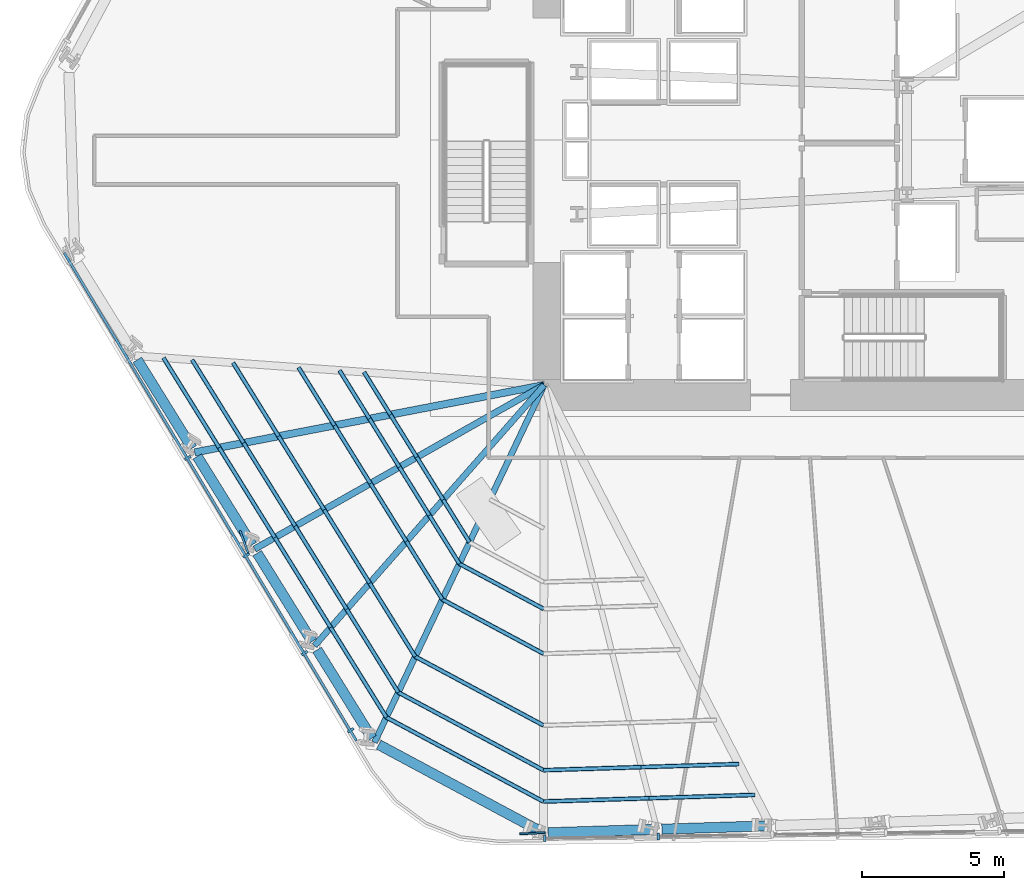
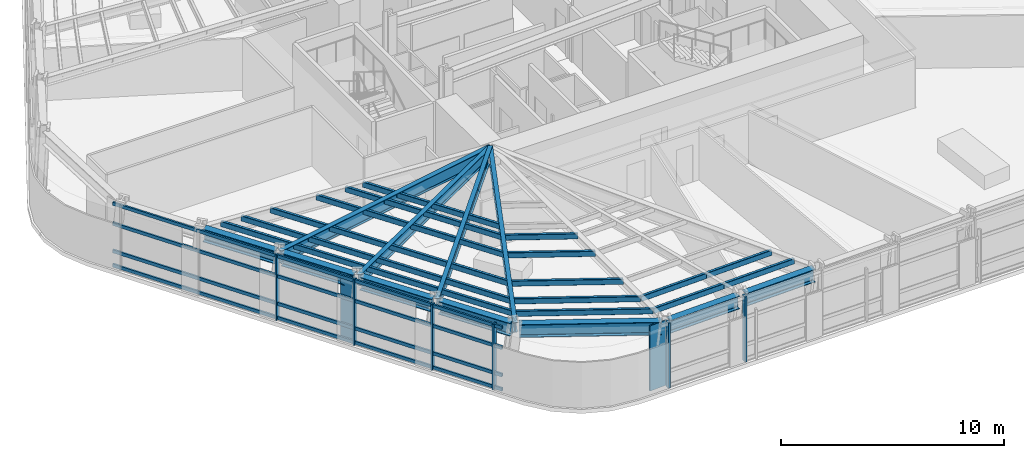
# One storey, part 2 of 15: 45 members, 11 beams, 2 elements without a shape of their own.
"""IFC4 building model written with IfcOpenShell, lengths in metres."""

from ifc_helpers import new_model, si_unit, direction, frame, origin, origin_2d, place, context, subcontext, project, spatial, rectangle, hollow_rectangle, i_section, extrude, material, layer, layer_set, material_profile, profile_set, type_object, element, aggregate, save


model = new_model("IFC4")

# Units and contexts
model_context = context("Model", 3, precision=1e-05, world=origin(), true_north=direction((0.0, 1.0)))
body_context = subcontext(model_context, "Body", "Model", "MODEL_VIEW")
ifc_project = project(units=[si_unit("LENGTHUNIT", "METRE"), si_unit("AREAUNIT", "SQUARE_METRE"), si_unit("VOLUMEUNIT", "CUBIC_METRE"), si_unit("PLANEANGLEUNIT", "RADIAN"), si_unit("MASSUNIT", "GRAM", prefix="KILO")], contexts=[model_context])

# Site, building, storey
site_placement = place(None, origin())
site = spatial("IfcSite", under=ifc_project, at=site_placement, CompositionType="ELEMENT")
building_placement = place(site_placement, origin())
building = spatial("IfcBuilding", under=site, at=building_placement, Name="Valkerne Bourse Tower", CompositionType="ELEMENT")
storey_placement = place(building_placement, frame((0.0, 0.0, 27.800048828125)))
storey = spatial("IfcBuildingStorey", under=building, at=storey_placement, Name="L06", CompositionType="ELEMENT", Elevation=27.800048828125)

# Beams
ifc_material_1 = material(Name="Steel ASTM A992", Category="steel")
ifc_material_profile_1 = material_profile(ifc_material_1, i_section(OverallWidth=0.209228515625, OverallDepth=0.533447265625, WebThickness=0.01025390625, FlangeThickness=0.015625, FilletRadius=0.017822265625, at=origin_2d()), Name="W21X62")
ifc_profile_set_1 = profile_set([ifc_material_profile_1], Name="Steel ASTM A992")
beam_type_1 = type_object("IfcBeamType", Name="BM-W21X62", PredefinedType="JOIST", material=ifc_profile_set_1)
beam_1_placement = place(storey_placement, frame((31.639404296875, 5.845703125, 3.313232421875), z_axis=(0.428907024778, 0.903348639284, 0.0), x_axis=(-0.903348639284, 0.428907024778, 0.0)))
element("IfcBeam", 1, at=beam_1_placement, inside=storey, type_object=beam_type_1, Name="L06 Radial Composite Floor Beam 23", PredefinedType="JOIST", context=body_context, shape_type="SweptSolid", body=[
    extrude(i_section(OverallWidth=0.209228515625, OverallDepth=0.533447265625, WebThickness=0.01025390625, FlangeThickness=0.015625, FilletRadius=0.017822265625, at=origin_2d()), origin(), (0.0, 0.0, 1.0), 13.8974609375),
])
ifc_material_profile_2 = material_profile(ifc_material_1, i_section(OverallWidth=0.2138671875, OverallDepth=0.548583984375, WebThickness=0.0146484375, FlangeThickness=0.023681640625, FilletRadius=0.017822265625, at=origin_2d()), Name="W21X93")
ifc_profile_set_2 = profile_set([ifc_material_profile_2], Name="Steel ASTM A992")
beam_type_2 = type_object("IfcBeamType", Name="BM-W21X93", PredefinedType="BEAM", material=ifc_profile_set_2)
beam_2_placement = place(storey_placement, frame((29.53369140625, 9.24169921875, 3.3056640625), z_axis=(0.660959741018, 0.750421362139, 0.0), x_axis=(-0.750421362139, 0.660959741018, 0.0)))
element("IfcBeam", 2, at=beam_2_placement, inside=storey, type_object=beam_type_2, Name="L06 Radial Composite Floor Beam 22", PredefinedType="BEAM", context=body_context, shape_type="SweptSolid", body=[
    extrude(i_section(OverallWidth=0.2138671875, OverallDepth=0.548583984375, WebThickness=0.0146484375, FlangeThickness=0.023681640625, FilletRadius=0.017822265625, at=origin_2d()), origin(), (0.0, 0.0, 1.0), 12.2041015625),
])
ifc_material_profile_3 = material_profile(ifc_material_1, i_section(OverallWidth=0.228271484375, OverallDepth=0.607177734375, WebThickness=0.01123046875, FlangeThickness=0.017333984375, FilletRadius=0.017822265625, at=origin_2d()), Name="W24X76")
ifc_profile_set_3 = profile_set([ifc_material_profile_3], Name="Steel ASTM A992")
beam_type_3 = type_object("IfcBeamType", Name="BM-W24X76", PredefinedType="JOIST", material=ifc_profile_set_3)
beam_3_placement = place(storey_placement, frame((27.427978515625, 12.637939453125, 3.2763671875), z_axis=(0.870104284468, 0.492867663932, 0.0), x_axis=(-0.492867663932, 0.870104284468, 0.0)))
element("IfcBeam", 3, at=beam_3_placement, inside=storey, type_object=beam_type_3, Name="L06 Radial Composite Floor Beam 21", PredefinedType="JOIST", context=body_context, shape_type="SweptSolid", body=[
    extrude(i_section(OverallWidth=0.228271484375, OverallDepth=0.607177734375, WebThickness=0.01123046875, FlangeThickness=0.017333984375, FilletRadius=0.017822265625, at=origin_2d()), origin(), (0.0, 0.0, 1.0), 11.690673828125),
])
ifc_material_profile_4 = material_profile(ifc_material_1, i_section(OverallWidth=0.255859375, OverallDepth=0.693359375, WebThickness=0.014404296875, FlangeThickness=0.023681640625, FilletRadius=0.02294921875, at=origin_2d()), Name="W27X114")
ifc_profile_set_4 = profile_set([ifc_material_profile_4], Name="Steel ASTM A992")
beam_type_4 = type_object("IfcBeamType", Name="BM-W27X114", PredefinedType="BEAM", material=ifc_profile_set_4)
beam_4_placement = place(storey_placement, frame((25.322265625, 16.0341796875, 3.233154296875), z_axis=(0.981938141051, 0.189202238751, 0.0), x_axis=(-0.189202238751, 0.981938141051, 0.0)))
element("IfcBeam", 4, at=beam_4_placement, inside=storey, type_object=beam_type_4, Name="L06 Radial Composite Floor Beam 20", PredefinedType="BEAM", context=body_context, shape_type="SweptSolid", body=[
    extrude(i_section(OverallWidth=0.255859375, OverallDepth=0.693359375, WebThickness=0.014404296875, FlangeThickness=0.023681640625, FilletRadius=0.02294921875, at=origin_2d()), origin(), (0.0, 0.0, 1.0), 12.503662109375),
])
ifc_material_profile_5 = material_profile(ifc_material_1, i_section(OverallWidth=0.358154296875, OverallDepth=0.7060546875, WebThickness=0.018310546875, FlangeThickness=0.0302734375, FilletRadius=0.02294921875, at=origin_2d()), Name="W27X178")
ifc_profile_set_5 = profile_set([ifc_material_profile_5], Name="Steel ASTM A992")
beam_type_5 = type_object("IfcBeamType", Name="BM-W27X178", PredefinedType="SPANDREL", material=ifc_profile_set_5)
for number, where, z_axis, x_axis, name in (
    (5, (23.30615234375, 19.285888671875, 3.226806640625), (0.526952210347, -0.849894915864, 0.0), (0.849894915864, 0.526952210347, 0.0), "L06 Hexagonal Spandrel Ring Beam 19"),
    (6, (25.411865234375, 15.8896484375, 3.226806640625), (0.526952210347, -0.849894915864, 0.0), (0.849894915864, 0.526952210347, 0.0), "L06 Hexagonal Spandrel Ring Beam 20"),
    (7, (27.517578125, 12.493408203125, 3.226806640625), (0.526952210347, -0.849894915864, 0.0), (0.849894915864, 0.526952210347, 0.0), "L06 Hexagonal Spandrel Ring Beam 21"),
    (8, (29.623291015625, 9.097412109375, 3.226806640625), (0.526952210347, -0.849894915864, 0.0), (0.849894915864, 0.526952210347, 0.0), "L06 Hexagonal Spandrel Ring Beam 22"),
):
    element("IfcBeam", number, at=place(storey_placement, frame(where, z_axis=z_axis, x_axis=x_axis)), inside=storey, type_object=beam_type_5, Name=name, PredefinedType="SPANDREL", context=body_context, shape_type="SweptSolid", body=[
        extrude(i_section(OverallWidth=0.358154296875, OverallDepth=0.7060546875, WebThickness=0.018310546875, FlangeThickness=0.0302734375, FilletRadius=0.02294921875, at=origin_2d()), origin(), (0.0, 0.0, 1.0), 3.656005859375),
    ])
beam_5_placement = place(storey_placement, frame((31.789306640625, 5.765380859375, 3.226806640625), z_axis=(0.881291868025, -0.472572368376, 0.0), x_axis=(0.472572368376, 0.881291868025, 0.0)))
element("IfcBeam", 9, at=beam_5_placement, inside=storey, type_object=beam_type_5, Name="L06 Hexagonal Spandrel Ring Beam 23", PredefinedType="SPANDREL", context=body_context, shape_type="SweptSolid", body=[
    extrude(i_section(OverallWidth=0.358154296875, OverallDepth=0.7060546875, WebThickness=0.018310546875, FlangeThickness=0.0302734375, FilletRadius=0.02294921875, at=origin_2d()), origin(), (0.0, 0.0, 1.0), 6.38916015625),
])
beam_6_placement = place(storey_placement, frame((37.73974609375, 2.671142578125, 3.226806640625), z_axis=(0.999505211175, 0.031453661687, 0.0), x_axis=(-0.031453661687, 0.999505211175, 0.0)))
element("IfcBeam", 10, at=beam_6_placement, inside=storey, type_object=beam_type_5, Name="L06 Hexagonal Spandrel Ring Beam 24", PredefinedType="SPANDREL", context=body_context, shape_type="SweptSolid", body=[
    extrude(i_section(OverallWidth=0.358154296875, OverallDepth=0.7060546875, WebThickness=0.018310546875, FlangeThickness=0.0302734375, FilletRadius=0.02294921875, at=origin_2d()), origin(), (0.0, 0.0, 1.0), 3.65576171875),
])
beam_7_placement = place(storey_placement, frame((41.733642578125, 2.796630859375, 3.226806640625), z_axis=(0.999505277237, 0.031451562372, 0.0), x_axis=(-0.031451562372, 0.999505277237, 0.0)))
element("IfcBeam", 11, at=beam_7_placement, inside=storey, type_object=beam_type_5, Name="L06 Hexagonal Spandrel Ring Beam 25", PredefinedType="SPANDREL", context=body_context, shape_type="SweptSolid", body=[
    extrude(i_section(OverallWidth=0.358154296875, OverallDepth=0.7060546875, WebThickness=0.018310546875, FlangeThickness=0.0302734375, FilletRadius=0.02294921875, at=origin_2d()), origin(), (0.0, 0.0, 1.0), 3.656005859375),
])

# Curtain wall, members
ifc_material_2 = material(Name="Aluminium AA 6063-T6", Category="aluminium")
ifc_layer = layer(ifc_material_2, 0.22509765625)
ifc_layer_set = layer_set([ifc_layer], Name="Aluminium AA 6063-T6")
curtain_wall_type = type_object("IfcCurtainWallType", Name="CW-01", PredefinedType="NOTDEFINED", material=ifc_layer_set)
curtain_wall_1_placement = place(storey_placement, origin())
curtain_wall_1 = element("IfcCurtainWall", 12, at=curtain_wall_1_placement, inside=storey, type_object=curtain_wall_type, Name="L06 Hexagonal Stick Curtain Wall Face 4", PredefinedType="NOTDEFINED")
ifc_material_profile_6 = material_profile(ifc_material_2, rectangle(XDim=0.090087890625, YDim=0.239990234375, at=origin_2d()), Name="CWM-90X240")
ifc_profile_set_6 = profile_set([ifc_material_profile_6], Name="Aluminium AA 6063-T6")
member_type_1 = type_object("IfcMemberType", Name="CW-MUL-240X90", PredefinedType="MULLION", material=ifc_profile_set_6)
member_1_placement = place(storey_placement, frame((25.07666015625, 15.837890625, 0.0), z_axis=(0.0, 0.0, 1.0), x_axis=(0.513542271598, -0.858064295541, 0.0)))
member_1 = element("IfcMember", 13, at=member_1_placement, type_object=member_type_1, Name="CW-L06-F4 Jamb Mullion 02A", PredefinedType="MULLION", context=body_context, shape_type="SweptSolid", body=[
    extrude(rectangle(XDim=0.090087890625, YDim=0.239990234375, at=origin_2d()), origin(), (0.0, 0.0, 1.0), 3.579833984375),
])
member_2_placement = place(storey_placement, frame((27.12890625, 12.4091796875, 0.0), z_axis=(0.0, 0.0, 1.0), x_axis=(0.513531244377, -0.858070895118, 0.0)))
member_2 = element("IfcMember", 14, at=member_2_placement, type_object=member_type_1, Name="CW-L06-F4 Jamb Mullion 03A", PredefinedType="MULLION", context=body_context, shape_type="SweptSolid", body=[
    extrude(rectangle(XDim=0.090087890625, YDim=0.239990234375, at=origin_2d()), origin(), (0.0, 0.0, 1.0), 3.579833984375),
])
member_3_placement = place(storey_placement, frame((29.180908203125, 8.980224609375, 0.0), z_axis=(0.0, 0.0, 1.0), x_axis=(0.513542271598, -0.858064295541, 0.0)))
member_3 = element("IfcMember", 15, at=member_3_placement, type_object=member_type_1, Name="CW-L06-F4 Jamb Mullion 04A", PredefinedType="MULLION", context=body_context, shape_type="SweptSolid", body=[
    extrude(rectangle(XDim=0.090087890625, YDim=0.239990234375, at=origin_2d()), origin(), (0.0, 0.0, 1.0), 3.579833984375),
])
member_4_placement = place(storey_placement, frame((30.8017578125, 6.272216796875, 0.0), z_axis=(0.0, 0.0, 1.0), x_axis=(0.513542271598, -0.858064295541, 0.0)))
member_4 = element("IfcMember", 16, at=member_4_placement, type_object=member_type_1, Name="CW-L06-F4 Jamb Mullion 04B", PredefinedType="MULLION", context=body_context, shape_type="SweptSolid", body=[
    extrude(rectangle(XDim=0.090087890625, YDim=0.239990234375, at=origin_2d()), origin(), (0.0, 0.0, 1.0), 3.579833984375),
])

curtain_wall_2_placement = place(storey_placement, origin())
curtain_wall_2 = element("IfcCurtainWall", 17, at=curtain_wall_2_placement, inside=storey, type_object=curtain_wall_type, Name="L06 Hexagonal Stick Curtain Wall Face 5", PredefinedType="NOTDEFINED")
member_5_placement = place(storey_placement, frame((37.614013671875, 2.48046875, 0.0), z_axis=(0.0, 0.0, 1.0), x_axis=(0.999876500112, 0.015715741255, 0.0)))
member_5 = element("IfcMember", 18, at=member_5_placement, type_object=member_type_1, Name="CW-L06-F5 Jamb Mullion 00A", PredefinedType="MULLION", context=body_context, shape_type="SweptSolid", body=[
    extrude(rectangle(XDim=0.090087890625, YDim=0.239990234375, at=origin_2d()), origin(), (0.0, 0.0, 1.0), 3.579833984375),
])
member_6_placement = place(storey_placement, frame((41.609619140625, 2.543212890625, 0.0), z_axis=(0.0, 0.0, 1.0), x_axis=(0.999876500112, 0.015715741255, 0.0)))
member_6 = element("IfcMember", 19, at=member_6_placement, type_object=member_type_1, Name="CW-L06-F5 Jamb Mullion 01A", PredefinedType="MULLION", context=body_context, shape_type="SweptSolid", body=[
    extrude(rectangle(XDim=0.090087890625, YDim=0.239990234375, at=origin_2d()), origin(), (0.0, 0.0, 1.0), 3.579833984375),
])
aggregate(curtain_wall_2, [member_5, member_6])

# Member
ifc_material_profile_7 = material_profile(ifc_material_2, rectangle(XDim=0.090087890625, YDim=0.179931640625, at=origin_2d()), Name="CWT-90X180")
ifc_profile_set_7 = profile_set([ifc_material_profile_7], Name="Aluminium AA 6063-T6")
member_type_2 = type_object("IfcMemberType", Name="CW-TRN-180X90", PredefinedType="USERDEFINED", material=ifc_profile_set_7)
member_7_placement = place(storey_placement, frame((20.739501953125, 23.045654296875, 0.119873046875), z_axis=(0.51355024866, -0.858059521305, 0.0), x_axis=(0.858059521305, 0.51355024866, 0.0)))
member_7 = element("IfcMember", 20, at=member_7_placement, type_object=member_type_2, Name="CW-L06-F4 Continuous Face Transom 1", ObjectType="TRANSOM", PredefinedType="USERDEFINED", context=body_context, shape_type="SweptSolid", body=[
    extrude(rectangle(XDim=0.090087890625, YDim=0.179931640625, at=origin_2d()), origin(), (0.0, 0.0, 1.0), 19.97998046875),
])

member_8_placement = place(storey_placement, frame((20.739501953125, 23.045654296875, 0.89990234375), z_axis=(0.51355024866, -0.858059521305, 0.0), x_axis=(0.858059521305, 0.51355024866, 0.0)))
member_8 = element("IfcMember", 21, at=member_8_placement, type_object=member_type_2, Name="CW-L06-F4 Continuous Face Transom 2", ObjectType="TRANSOM", PredefinedType="USERDEFINED", context=body_context, shape_type="SweptSolid", body=[
    extrude(rectangle(XDim=0.090087890625, YDim=0.179931640625, at=origin_2d()), origin(), (0.0, 0.0, 1.0), 19.97998046875),
])

member_9_placement = place(storey_placement, frame((20.739501953125, 23.045654296875, 2.39990234375), z_axis=(0.51355024866, -0.858059521305, 0.0), x_axis=(0.858059521305, 0.51355024866, 0.0)))
member_9 = element("IfcMember", 22, at=member_9_placement, type_object=member_type_2, Name="CW-L06-F4 Continuous Face Transom 3", ObjectType="TRANSOM", PredefinedType="USERDEFINED", context=body_context, shape_type="SweptSolid", body=[
    extrude(rectangle(XDim=0.090087890625, YDim=0.179931640625, at=origin_2d()), origin(), (0.0, 0.0, 1.0), 19.97998046875),
])

member_10_placement = place(storey_placement, frame((20.739501953125, 23.045654296875, 3.5), z_axis=(0.51355024866, -0.858059521305, 0.0), x_axis=(0.858059521305, 0.51355024866, 0.0)))
member_10 = element("IfcMember", 23, at=member_10_placement, type_object=member_type_2, Name="CW-L06-F4 Continuous Face Transom 4", ObjectType="TRANSOM", PredefinedType="USERDEFINED", context=body_context, shape_type="SweptSolid", body=[
    extrude(rectangle(XDim=0.090087890625, YDim=0.179931640625, at=origin_2d()), origin(), (0.0, 0.0, 1.0), 19.97998046875),
])

aggregate(curtain_wall_1, [member_7, member_8, member_9, member_10, member_1, member_2, member_3, member_4])

# Members
ifc_material_3 = material(Name="Bronze Anodised Aluminium AA 6063-T6", Category="aluminium")
ifc_material_profile_8 = material_profile(ifc_material_3, rectangle(XDim=0.070068359375, YDim=0.89990234375, at=origin_2d()), Name="FIN-70X900")
ifc_profile_set_8 = profile_set([ifc_material_profile_8], Name="Bronze Anodised Aluminium AA 6063-T6")
member_type_3 = type_object("IfcMemberType", Name="FIN-SOLAR-900", PredefinedType="USERDEFINED", material=ifc_profile_set_8)
for number, where, z_axis, x_axis, name in (
    (24, (27.067626953125, 12.86181640625, 0.00390625), (0.0, 0.0, 1.0), (-0.938740384559, -0.344625144756, 0.0), "L06 Bronze Anodised Solar Fin F4-03"),
    (25, (37.191162109375, 2.65380859375, 0.00390625), (0.0, 0.0, 1.0), (0.057696561543, -0.998334165891, 0.0), "L06 Bronze Anodised Solar Fin F5-00"),
):
    element("IfcMember", number, at=place(storey_placement, frame(where, z_axis=z_axis, x_axis=x_axis)), inside=storey, type_object=member_type_3, Name=name, ObjectType="SOLAR_FIN", PredefinedType="USERDEFINED", context=body_context, shape_type="SweptSolid", body=[
        extrude(rectangle(XDim=0.070068359375, YDim=0.89990234375, at=origin_2d()), origin(), (0.0, 0.0, 1.0), 3.572021484375),
    ])
ifc_material_4 = material(Name="Steel ASTM A500 Grade C", Category="steel")
ifc_material_profile_9 = material_profile(ifc_material_4, hollow_rectangle(XDim=0.14990234375, YDim=0.300048828125, WallThickness=0.012451171875, OuterFilletRadius=0.02490234375, at=origin_2d()), Name="HSS300X150X12.5")
ifc_profile_set_9 = profile_set([ifc_material_profile_9], Name="Steel ASTM A500 Grade C")
member_type_4 = type_object("IfcMemberType", Name="MBR-HSS300X150X12.5", PredefinedType="PURLIN", material=ifc_profile_set_9)
for number, where, z_axis, x_axis, name in (
    (26, (31.271240234375, 18.853271484375, 3.419921875), (0.52693766293, -0.849903935387, 0.0), (0.849903935387, 0.52693766293, 0.0), "L06 Secondary Composite Floor Purlin K-19"),
    (27, (32.19775390625, 17.35888671875, 3.419921875), (0.527100141096, -0.849803177952, 0.0), (0.849803177952, 0.527100141096, 0.0), "L06 Secondary Composite Floor Purlin K-20"),
):
    element("IfcMember", number, at=place(storey_placement, frame(where, z_axis=z_axis, x_axis=x_axis)), inside=storey, type_object=member_type_4, Name=name, PredefinedType="PURLIN", context=body_context, shape_type="SweptSolid", body=[
        extrude(hollow_rectangle(XDim=0.14990234375, YDim=0.300048828125, WallThickness=0.012451171875, OuterFilletRadius=0.02490234375, at=origin_2d()), origin(), (0.0, 0.0, 1.0), 1.75830078125),
    ])
for number, where, z_axis, x_axis, name in (
    (28, (33.12451171875, 15.86474609375, 3.419921875), (0.526837355107, -0.849966117715, 0.0), (0.849966117715, 0.526837355107, 0.0), "L06 Secondary Composite Floor Purlin K-21"),
    (29, (34.05078125, 14.370361328125, 3.419921875), (0.526999852555, -0.849865374872, 0.0), (0.849865374872, 0.526999852555, 0.0), "L06 Secondary Composite Floor Purlin K-22"),
):
    element("IfcMember", number, at=place(storey_placement, frame(where, z_axis=z_axis, x_axis=x_axis)), inside=storey, type_object=member_type_4, Name=name, PredefinedType="PURLIN", context=body_context, shape_type="SweptSolid", body=[
        extrude(hollow_rectangle(XDim=0.14990234375, YDim=0.300048828125, WallThickness=0.012451171875, OuterFilletRadius=0.02490234375, at=origin_2d()), origin(), (0.0, 0.0, 1.0), 1.758056640625),
    ])
member_11_placement = place(storey_placement, frame((30.408203125, 18.9150390625, 3.419921875), z_axis=(0.527019104472, -0.849853436495, 0.0), x_axis=(0.849853436495, 0.527019104472, 0.0)))
element("IfcMember", 30, at=member_11_placement, inside=storey, type_object=member_type_4, Name="L06 Secondary Composite Floor Purlin M-19", PredefinedType="PURLIN", context=body_context, shape_type="SweptSolid", body=[
    extrude(hollow_rectangle(XDim=0.14990234375, YDim=0.300048828125, WallThickness=0.012451171875, OuterFilletRadius=0.02490234375, at=origin_2d()), origin(), (0.0, 0.0, 1.0), 1.998046875),
])
member_12_placement = place(storey_placement, frame((31.461181640625, 17.217041015625, 3.419921875), z_axis=(0.52693084183, -0.849908164408, 0.0), x_axis=(0.849908164408, 0.52693084183, 0.0)))
element("IfcMember", 31, at=member_12_placement, inside=storey, type_object=member_type_4, Name="L06 Secondary Composite Floor Purlin M-20", PredefinedType="PURLIN", context=body_context, shape_type="SweptSolid", body=[
    extrude(hollow_rectangle(XDim=0.14990234375, YDim=0.300048828125, WallThickness=0.012451171875, OuterFilletRadius=0.02490234375, at=origin_2d()), origin(), (0.0, 0.0, 1.0), 1.997802734375),
])
member_13_placement = place(storey_placement, frame((32.513916015625, 15.51904296875, 3.419921875), z_axis=(0.52696438009, -0.849887370254, 0.0), x_axis=(0.849887370254, 0.52696438009, 0.0)))
element("IfcMember", 32, at=member_13_placement, inside=storey, type_object=member_type_4, Name="L06 Secondary Composite Floor Purlin M-21", PredefinedType="PURLIN", context=body_context, shape_type="SweptSolid", body=[
    extrude(hollow_rectangle(XDim=0.14990234375, YDim=0.300048828125, WallThickness=0.012451171875, OuterFilletRadius=0.02490234375, at=origin_2d()), origin(), (0.0, 0.0, 1.0), 1.998291015625),
])
member_14_placement = place(storey_placement, frame((33.56689453125, 13.82080078125, 3.419921875), z_axis=(0.527019104472, -0.849853436495, 0.0), x_axis=(0.849853436495, 0.527019104472, 0.0)))
element("IfcMember", 33, at=member_14_placement, inside=storey, type_object=member_type_4, Name="L06 Secondary Composite Floor Purlin M-22", PredefinedType="PURLIN", context=body_context, shape_type="SweptSolid", body=[
    extrude(hollow_rectangle(XDim=0.14990234375, YDim=0.300048828125, WallThickness=0.012451171875, OuterFilletRadius=0.02490234375, at=origin_2d()), origin(), (0.0, 0.0, 1.0), 1.998046875),
])
member_15_placement = place(storey_placement, frame((34.619873046875, 12.122802734375, 3.419921875), z_axis=(0.881306228216, -0.472545587332, 0.0), x_axis=(0.472545587332, 0.881306228216, 0.0)))
element("IfcMember", 34, at=member_15_placement, inside=storey, type_object=member_type_4, Name="L06 Secondary Composite Floor Purlin M-23", PredefinedType="PURLIN", context=body_context, shape_type="SweptSolid", body=[
    extrude(hollow_rectangle(XDim=0.14990234375, YDim=0.300048828125, WallThickness=0.012451171875, OuterFilletRadius=0.02490234375, at=origin_2d()), origin(), (0.0, 0.0, 1.0), 3.364501953125),
])
member_16_placement = place(storey_placement, frame((26.668701171875, 19.18310546875, 3.419921875), z_axis=(0.526902502667, -0.849925733628, 0.0), x_axis=(0.849925733628, 0.526902502667, 0.0)))
element("IfcMember", 35, at=member_16_placement, inside=storey, type_object=member_type_4, Name="L06 Secondary Composite Floor Purlin O-19", PredefinedType="PURLIN", context=body_context, shape_type="SweptSolid", body=[
    extrude(hollow_rectangle(XDim=0.14990234375, YDim=0.300048828125, WallThickness=0.012451171875, OuterFilletRadius=0.02490234375, at=origin_2d()), origin(), (0.0, 0.0, 1.0), 3.036865234375),
])
for number, where, z_axis, x_axis, name in (
    (36, (28.268798828125, 16.60205078125, 3.419921875), (0.527018636989, -0.849853726395, 0.0), (0.849853726395, 0.527018636989, 0.0), "L06 Secondary Composite Floor Purlin O-20"),
    (37, (29.869384765625, 14.02099609375, 3.419921875), (0.526924571888, -0.849912051651, 0.0), (0.849912051651, 0.526924571888, 0.0), "L06 Secondary Composite Floor Purlin O-21"),
):
    element("IfcMember", number, at=place(storey_placement, frame(where, z_axis=z_axis, x_axis=x_axis)), inside=storey, type_object=member_type_4, Name=name, PredefinedType="PURLIN", context=body_context, shape_type="SweptSolid", body=[
        extrude(hollow_rectangle(XDim=0.14990234375, YDim=0.300048828125, WallThickness=0.012451171875, OuterFilletRadius=0.02490234375, at=origin_2d()), origin(), (0.0, 0.0, 1.0), 3.037109375),
    ])
member_17_placement = place(storey_placement, frame((31.4697265625, 11.439697265625, 3.419921875), z_axis=(0.526960573518, -0.84988973047, 0.0), x_axis=(0.84988973047, 0.526960573518, 0.0)))
element("IfcMember", 38, at=member_17_placement, inside=storey, type_object=member_type_4, Name="L06 Secondary Composite Floor Purlin O-22", PredefinedType="PURLIN", context=body_context, shape_type="SweptSolid", body=[
    extrude(hollow_rectangle(XDim=0.14990234375, YDim=0.300048828125, WallThickness=0.012451171875, OuterFilletRadius=0.02490234375, at=origin_2d()), origin(), (0.0, 0.0, 1.0), 3.036865234375),
])
member_18_placement = place(storey_placement, frame((33.070068359375, 8.858642578125, 3.419921875), z_axis=(0.881306735709, -0.472544640848, 0.0), x_axis=(0.472544640848, 0.881306735709, 0.0)))
element("IfcMember", 39, at=member_18_placement, inside=storey, type_object=member_type_4, Name="L06 Secondary Composite Floor Purlin O-23", PredefinedType="PURLIN", context=body_context, shape_type="SweptSolid", body=[
    extrude(hollow_rectangle(XDim=0.14990234375, YDim=0.300048828125, WallThickness=0.012451171875, OuterFilletRadius=0.02490234375, at=origin_2d()), origin(), (0.0, 0.0, 1.0), 5.11376953125),
])
member_19_placement = place(storey_placement, frame((28.969970703125, 19.018310546875, 3.419921875), z_axis=(0.526929371876, -0.849909075757, 0.0), x_axis=(0.849909075757, 0.526929371876, 0.0)))
element("IfcMember", 40, at=member_19_placement, inside=storey, type_object=member_type_4, Name="L06 Secondary Composite Floor Purlin Z-19", PredefinedType="PURLIN", context=body_context, shape_type="SweptSolid", body=[
    extrude(hollow_rectangle(XDim=0.14990234375, YDim=0.300048828125, WallThickness=0.012451171875, OuterFilletRadius=0.02490234375, at=origin_2d()), origin(), (0.0, 0.0, 1.0), 2.397705078125),
])
member_20_placement = place(storey_placement, frame((30.2333984375, 16.98046875, 3.419921875), z_axis=(0.526974975282, -0.849880800716, 0.0), x_axis=(0.849880800716, 0.526974975282, 0.0)))
element("IfcMember", 41, at=member_20_placement, inside=storey, type_object=member_type_4, Name="L06 Secondary Composite Floor Purlin Z-20", PredefinedType="PURLIN", context=body_context, shape_type="SweptSolid", body=[
    extrude(hollow_rectangle(XDim=0.14990234375, YDim=0.300048828125, WallThickness=0.012451171875, OuterFilletRadius=0.02490234375, at=origin_2d()), origin(), (0.0, 0.0, 1.0), 2.3974609375),
])
member_21_placement = place(storey_placement, frame((31.496826171875, 14.94287109375, 3.419921875), z_axis=(0.526929371876, -0.849909075757, 0.0), x_axis=(0.849909075757, 0.526929371876, 0.0)))
element("IfcMember", 42, at=member_21_placement, inside=storey, type_object=member_type_4, Name="L06 Secondary Composite Floor Purlin Z-21", PredefinedType="PURLIN", context=body_context, shape_type="SweptSolid", body=[
    extrude(hollow_rectangle(XDim=0.14990234375, YDim=0.300048828125, WallThickness=0.012451171875, OuterFilletRadius=0.02490234375, at=origin_2d()), origin(), (0.0, 0.0, 1.0), 2.397705078125),
])
member_22_placement = place(storey_placement, frame((32.76025390625, 12.905029296875, 3.419921875), z_axis=(0.526974975282, -0.849880800716, 0.0), x_axis=(0.849880800716, 0.526974975282, 0.0)))
element("IfcMember", 43, at=member_22_placement, inside=storey, type_object=member_type_4, Name="L06 Secondary Composite Floor Purlin Z-22", PredefinedType="PURLIN", context=body_context, shape_type="SweptSolid", body=[
    extrude(hollow_rectangle(XDim=0.14990234375, YDim=0.300048828125, WallThickness=0.012451171875, OuterFilletRadius=0.02490234375, at=origin_2d()), origin(), (0.0, 0.0, 1.0), 2.3974609375),
])
member_23_placement = place(storey_placement, frame((34.023681640625, 10.867431640625, 3.419921875), z_axis=(0.881291117837, -0.472573767387, 0.0), x_axis=(0.472573767387, 0.881291117837, 0.0)))
element("IfcMember", 44, at=member_23_placement, inside=storey, type_object=member_type_4, Name="L06 Secondary Composite Floor Purlin Z-23", PredefinedType="PURLIN", context=body_context, shape_type="SweptSolid", body=[
    extrude(hollow_rectangle(XDim=0.14990234375, YDim=0.300048828125, WallThickness=0.012451171875, OuterFilletRadius=0.02490234375, at=origin_2d()), origin(), (0.0, 0.0, 1.0), 4.037353515625),
])
member_24_placement = place(storey_placement, frame((25.230224609375, 19.2861328125, 3.419921875), z_axis=(0.52698790499, -0.849872783418, 0.0), x_axis=(0.849872783418, 0.52698790499, 0.0)))
element("IfcMember", 45, at=member_24_placement, inside=storey, type_object=member_type_4, Name="L06 Secondary Composite Floor Purlin T-19", PredefinedType="PURLIN", context=body_context, shape_type="SweptSolid", body=[
    extrude(hollow_rectangle(XDim=0.14990234375, YDim=0.300048828125, WallThickness=0.012451171875, OuterFilletRadius=0.02490234375, at=origin_2d()), origin(), (0.0, 0.0, 1.0), 3.4365234375),
])
member_25_placement = place(storey_placement, frame((27.041259765625, 16.365478515625, 3.419921875), z_axis=(0.52695608887, -0.849892511087, 0.0), x_axis=(0.849892511087, 0.52695608887, 0.0)))
element("IfcMember", 46, at=member_25_placement, inside=storey, type_object=member_type_4, Name="L06 Secondary Composite Floor Purlin T-20", PredefinedType="PURLIN", context=body_context, shape_type="SweptSolid", body=[
    extrude(hollow_rectangle(XDim=0.14990234375, YDim=0.300048828125, WallThickness=0.012451171875, OuterFilletRadius=0.02490234375, at=origin_2d()), origin(), (0.0, 0.0, 1.0), 3.436767578125),
])
for number, where, z_axis, x_axis, name in (
    (47, (28.852294921875, 13.444580078125, 3.419921875), (0.526936589787, -0.849904600731, 0.0), (0.849904600731, 0.526936589787, 0.0), "L06 Secondary Composite Floor Purlin T-21"),
    (48, (30.6630859375, 10.52392578125, 3.419921875), (0.52698790499, -0.849872783418, 0.0), (0.849872783418, 0.52698790499, 0.0), "L06 Secondary Composite Floor Purlin T-22"),
):
    element("IfcMember", number, at=place(storey_placement, frame(where, z_axis=z_axis, x_axis=x_axis)), inside=storey, type_object=member_type_4, Name=name, PredefinedType="PURLIN", context=body_context, shape_type="SweptSolid", body=[
        extrude(hollow_rectangle(XDim=0.14990234375, YDim=0.300048828125, WallThickness=0.012451171875, OuterFilletRadius=0.02490234375, at=origin_2d()), origin(), (0.0, 0.0, 1.0), 3.4365234375),
    ])
member_26_placement = place(storey_placement, frame((32.47412109375, 7.603271484375, 3.419921875), z_axis=(0.881296134418, -0.472564411969, 0.0), x_axis=(0.472564411969, 0.881296134418, 0.0)))
element("IfcMember", 49, at=member_26_placement, inside=storey, type_object=member_type_4, Name="L06 Secondary Composite Floor Purlin T-23", PredefinedType="PURLIN", context=body_context, shape_type="SweptSolid", body=[
    extrude(hollow_rectangle(XDim=0.14990234375, YDim=0.300048828125, WallThickness=0.012451171875, OuterFilletRadius=0.02490234375, at=origin_2d()), origin(), (0.0, 0.0, 1.0), 5.786865234375),
])
member_27_placement = place(storey_placement, frame((37.573974609375, 4.86865234375, 3.419921875), z_axis=(0.999506863962, 0.031401097013, 0.0), x_axis=(-0.031401097013, 0.999506863962, 0.0)))
element("IfcMember", 50, at=member_27_placement, inside=storey, type_object=member_type_4, Name="L06 Secondary Composite Floor Purlin T-24", PredefinedType="PURLIN", context=body_context, shape_type="SweptSolid", body=[
    extrude(hollow_rectangle(XDim=0.14990234375, YDim=0.300048828125, WallThickness=0.012451171875, OuterFilletRadius=0.02490234375, at=origin_2d()), origin(), (0.0, 0.0, 1.0), 3.4365234375),
])
member_28_placement = place(storey_placement, frame((41.0087890625, 4.9765625, 3.419921875), z_axis=(0.999506934005, 0.031398867436, 0.0), x_axis=(-0.031398867436, 0.999506934005, 0.0)))
element("IfcMember", 51, at=member_28_placement, inside=storey, type_object=member_type_4, Name="L06 Secondary Composite Floor Purlin T-25", PredefinedType="PURLIN", context=body_context, shape_type="SweptSolid", body=[
    extrude(hollow_rectangle(XDim=0.14990234375, YDim=0.300048828125, WallThickness=0.012451171875, OuterFilletRadius=0.02490234375, at=origin_2d()), origin(), (0.0, 0.0, 1.0), 3.436767578125),
])
for number, where, z_axis, x_axis, name in (
    (52, (24.223388671875, 19.358154296875, 3.419921875), (0.526942516101, -0.849900926418, 0.0), (0.849900926418, 0.526942516101, 0.0), "L06 Secondary Composite Floor Purlin U-19"),
    (53, (26.181640625, 16.19970703125, 3.419921875), (0.526989967473, -0.849871504513, 0.0), (0.849871504513, 0.526989967473, 0.0), "L06 Secondary Composite Floor Purlin U-20"),
    (54, (28.14013671875, 13.041259765625, 3.419921875), (0.526942516101, -0.849900926418, 0.0), (0.849900926418, 0.526942516101, 0.0), "L06 Secondary Composite Floor Purlin U-21"),
):
    element("IfcMember", number, at=place(storey_placement, frame(where, z_axis=z_axis, x_axis=x_axis)), inside=storey, type_object=member_type_4, Name=name, PredefinedType="PURLIN", context=body_context, shape_type="SweptSolid", body=[
        extrude(hollow_rectangle(XDim=0.14990234375, YDim=0.300048828125, WallThickness=0.012451171875, OuterFilletRadius=0.02490234375, at=origin_2d()), origin(), (0.0, 0.0, 1.0), 3.71630859375),
    ])
member_29_placement = place(storey_placement, frame((30.098388671875, 9.8828125, 3.419921875), z_axis=(0.526971939027, -0.849882683362, 0.0), x_axis=(0.849882683362, 0.526971939027, 0.0)))
element("IfcMember", 55, at=member_29_placement, inside=storey, type_object=member_type_4, Name="L06 Secondary Composite Floor Purlin U-22", PredefinedType="PURLIN", context=body_context, shape_type="SweptSolid", body=[
    extrude(hollow_rectangle(XDim=0.14990234375, YDim=0.300048828125, WallThickness=0.012451171875, OuterFilletRadius=0.02490234375, at=origin_2d()), origin(), (0.0, 0.0, 1.0), 3.716064453125),
])
member_30_placement = place(storey_placement, frame((32.056640625, 6.724609375, 3.419921875), z_axis=(0.881306505124, -0.472545070894, 0.0), x_axis=(0.472545070894, 0.881306505124, 0.0)))
element("IfcMember", 56, at=member_30_placement, inside=storey, type_object=member_type_4, Name="L06 Secondary Composite Floor Purlin U-23", PredefinedType="PURLIN", context=body_context, shape_type="SweptSolid", body=[
    extrude(hollow_rectangle(XDim=0.14990234375, YDim=0.300048828125, WallThickness=0.012451171875, OuterFilletRadius=0.02490234375, at=origin_2d()), origin(), (0.0, 0.0, 1.0), 6.25830078125),
])
for number, where, z_axis, x_axis, name in (
    (57, (37.572021484375, 3.767333984375, 3.419921875), (0.999506806216, 0.031402935018, 0.0), (-0.031402935018, 0.999506806216, 0.0), "L06 Secondary Composite Floor Purlin U-24"),
    (58, (41.286376953125, 3.884033203125, 3.419921875), (0.999506806216, 0.031402935018, 0.0), (-0.031402935018, 0.999506806216, 0.0), "L06 Secondary Composite Floor Purlin U-25"),
):
    element("IfcMember", number, at=place(storey_placement, frame(where, z_axis=z_axis, x_axis=x_axis)), inside=storey, type_object=member_type_4, Name=name, PredefinedType="PURLIN", context=body_context, shape_type="SweptSolid", body=[
        extrude(hollow_rectangle(XDim=0.14990234375, YDim=0.300048828125, WallThickness=0.012451171875, OuterFilletRadius=0.02490234375, at=origin_2d()), origin(), (0.0, 0.0, 1.0), 3.71630859375),
    ])

save(model, "model.ifc")
